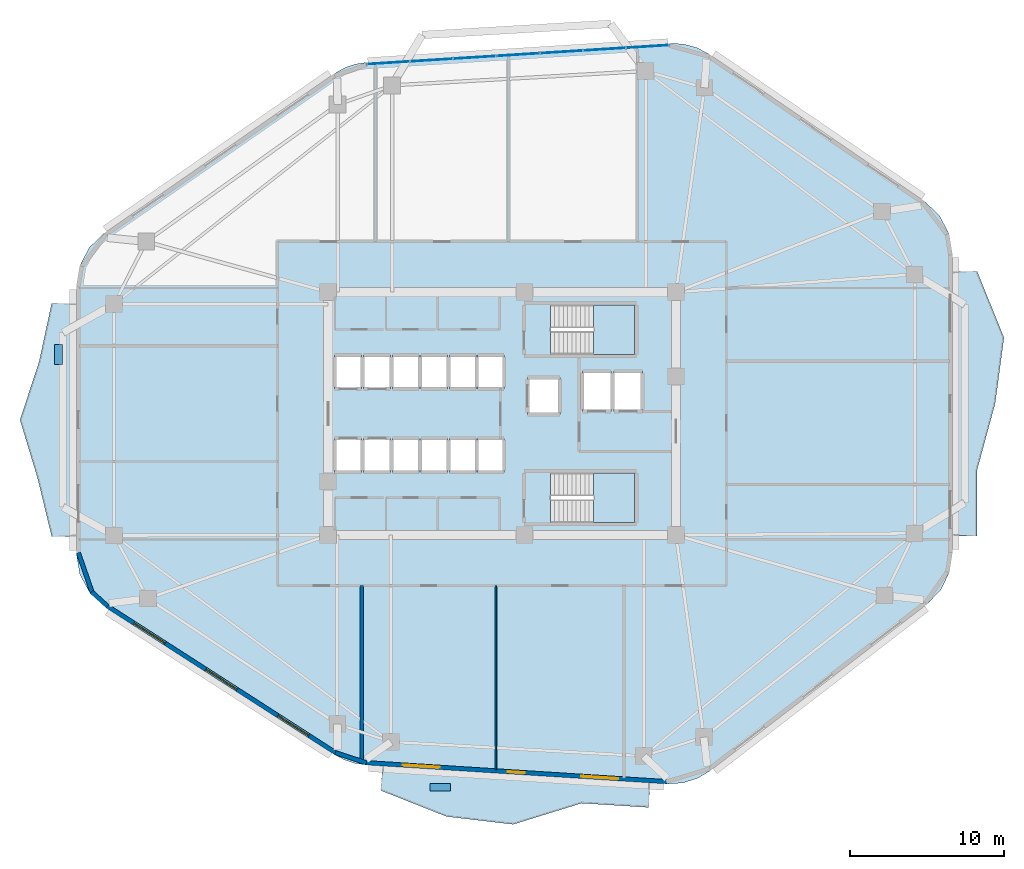
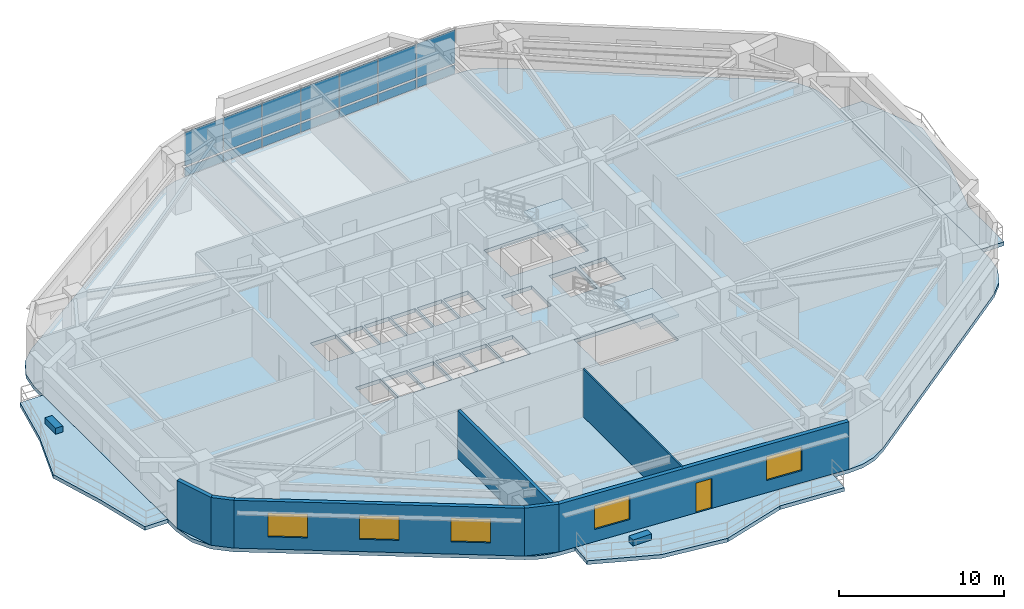
# One storey, part 6 of 13: 16 plates, 7 walls, 6 slabs, 5 windows, 1 door, 6 openings, 3 elements without a shape of their own.
"""IFC4 building model written with IfcOpenShell, lengths in metres."""

import ifcopenshell
import ifcopenshell.guid

model = None  # the IFC model being written
_history = None  # IfcOwnerHistory: only IFC2X3 demands one
_inside = {}  # id of a spatial element -> (the spatial element, [elements in it])
_under = {}  # id of a project, library or spatial element -> (it, [spatial elements below it])
_declared = {}  # id of a project -> (the project, [libraries it declares])
_typed = {}  # id of a type object -> (the type object, [elements of that type])
_made_of = {}  # id of a material, layer set ... -> (it, [elements and type objects made of it])


def new_model(schema):
    """Start an empty IFC model of exactly this schema.

    Asked for "IFC4X3", IfcOpenShell would pick the latest addendum, in which some entities
    have other attributes; the version numbers below select the first issue.
    IFC2X3 requires an IfcOwnerHistory on every rooted entity: one is made here for all.
    """
    global model, _history
    if schema == "IFC4X3":
        model = ifcopenshell.file(schema_version=(4, 3, 0, 0))
    else:
        model = ifcopenshell.file(schema=schema)
    _inside.clear()
    _under.clear()
    _declared.clear()
    _typed.clear()
    _made_of.clear()
    _history = None
    if model.schema == "IFC2X3":
        org = make("IfcOrganization", Name="unknown")
        user = make(
            "IfcPersonAndOrganization",
            ThePerson=make("IfcPerson", FamilyName="unknown"),
            TheOrganization=org,
        )
        app = make(
            "IfcApplication",
            ApplicationDeveloper=org,
            Version="unknown",
            ApplicationFullName="unknown",
            ApplicationIdentifier="unknown",
        )
        _history = make(
            "IfcOwnerHistory",
            OwningUser=user,
            OwningApplication=app,
            ChangeAction="ADDED",
            CreationDate=0,
        )
    return model


def make(cls, **values):
    """One entity of the class cls with the attributes given. An attribute that is None is left unset."""
    return model.create_entity(
        cls, **{name: value for name, value in values.items() if value is not None}
    )


def rooted(cls, **values):
    """An entity with a GlobalId (a new one), such as an element, a storey or a relation."""
    return make(cls, GlobalId=ifcopenshell.guid.new(), OwnerHistory=_history, **values)


def si_unit(unit_type, name, prefix=None):
    """IfcSIUnit, for example si_unit("LENGTHUNIT", "METRE", prefix="MILLI")."""
    return make("IfcSIUnit", UnitType=unit_type, Prefix=prefix, Name=name)


def assignment(units):
    """IfcUnitAssignment: the units of a project."""
    return None if units is None else make("IfcUnitAssignment", Units=units)


def point(xyz):
    """IfcCartesianPoint."""
    return None if xyz is None else make("IfcCartesianPoint", Coordinates=xyz)


def direction(xyz):
    """IfcDirection."""
    return None if xyz is None else make("IfcDirection", DirectionRatios=xyz)


def frame(location, z_axis=None, x_axis=None):
    """IfcAxis2Placement3D, a coordinate frame: its origin and axes. An axis left out is left unset."""
    return make(
        "IfcAxis2Placement3D",
        Location=point(location),
        Axis=direction(z_axis),
        RefDirection=direction(x_axis),
    )


def frame_2d(location, x_axis=None):
    """IfcAxis2Placement2D, a coordinate frame in the plane: its origin and x axis."""
    return make(
        "IfcAxis2Placement2D", Location=point(location), RefDirection=direction(x_axis)
    )


def origin():
    """The frame at (0, 0, 0) with its axes left unset."""
    return frame((0.0, 0.0, 0.0))


def origin_2d():
    """The frame at (0, 0) in the plane with its x axis left unset."""
    return frame_2d((0.0, 0.0))


def place(relative_to, where):
    """IfcLocalPlacement: puts the frame where relative to a parent placement (None: the world)."""
    return make(
        "IfcLocalPlacement", PlacementRelTo=relative_to, RelativePlacement=where
    )


def context(
    kind, dimensions, precision=None, world=None, true_north=None, identifier=None
):
    """IfcGeometricRepresentationContext, for example the 3D "Model" context."""
    return make(
        "IfcGeometricRepresentationContext",
        ContextIdentifier=identifier,
        ContextType=kind,
        CoordinateSpaceDimension=dimensions,
        Precision=precision,
        WorldCoordinateSystem=world,
        TrueNorth=true_north,
    )


def subcontext(parent, identifier, kind, view, scale=None):
    """IfcGeometricRepresentationSubContext, for example "Body" below "Model"."""
    return make(
        "IfcGeometricRepresentationSubContext",
        ContextIdentifier=identifier,
        ContextType=kind,
        ParentContext=parent,
        TargetScale=scale,
        TargetView=view,
    )


def project(units=None, contexts=None):
    """IfcProject with its units and contexts."""
    return rooted(
        "IfcProject",
        Name="project",
        RepresentationContexts=contexts,
        UnitsInContext=assignment(units),
    )


def spatial(cls, under=None, at=None, **own):
    """A site, building, storey or space (cls), placed at a placement, below another one or the project."""
    s = rooted(cls, ObjectPlacement=at, **own)
    if under is not None:
        _under.setdefault(under.id(), (under, []))[1].append(s)
    return s


def polyline(points):
    """IfcPolyline through the points."""
    return make("IfcPolyline", Points=[point(p) for p in points])


def profile(cls, at=None, kind="AREA", **sizes):
    """A parametric profile (cls). Its sizes go by their IFC names, for example OverallWidth=200.0."""
    return make(cls, ProfileType=kind, Position=at, **sizes)


def rectangle(**sizes):
    """IfcRectangleProfileDef."""
    return profile("IfcRectangleProfileDef", **sizes)


def outline(outer, holes=None, kind="AREA"):
    """IfcArbitraryClosedProfileDef: a profile drawn as a closed curve; with holes, ...WithVoids."""
    if holes is None:
        return make("IfcArbitraryClosedProfileDef", ProfileType=kind, OuterCurve=outer)
    return make(
        "IfcArbitraryProfileDefWithVoids",
        ProfileType=kind,
        OuterCurve=outer,
        InnerCurves=holes,
    )


def extrude(swept, where, along, depth):
    """IfcExtrudedAreaSolid: the profile swept, set in the frame where, extruded along a direction by depth."""
    return make(
        "IfcExtrudedAreaSolid",
        SweptArea=swept,
        Position=where,
        ExtrudedDirection=direction(along),
        Depth=depth,
    )


def shape(context_of_items, identifier, shape_type, items):
    """IfcShapeRepresentation: the items that make up one representation, for example the "Body"."""
    return make(
        "IfcShapeRepresentation",
        ContextOfItems=context_of_items,
        RepresentationIdentifier=identifier,
        RepresentationType=shape_type,
        Items=items,
    )


def material(Name=None, Category=None):
    """IfcMaterial."""
    return make("IfcMaterial", Name=Name, Category=Category)


def layer(
    of_material, thickness, ventilated=None, Name=None, Category=None, Priority=None
):
    """IfcMaterialLayer: one layer of a wall or slab, of a material (None: an air gap)."""
    return make(
        "IfcMaterialLayer",
        Material=of_material,
        LayerThickness=thickness,
        IsVentilated=ventilated,
        Name=Name,
        Category=Category,
        Priority=Priority,
    )


def layer_set(layers, Name=None):
    """IfcMaterialLayerSet."""
    return make("IfcMaterialLayerSet", MaterialLayers=layers, LayerSetName=Name)


def made_of(thing, what):
    """Note that an element or type object is made of a material, layer set ...; save() writes the relation."""
    if what is not None:
        _made_of.setdefault(what.id(), (what, []))[1].append(thing)
    return thing


def type_object(cls, material=None, **own):
    """A type object (cls), such as IfcWallType, which elements share."""
    return made_of(rooted(cls, **own), material)


def element(
    cls,
    number,
    at=None,
    inside=None,
    cuts=None,
    type_object=None,
    material=None,
    context=None,
    identifier="Body",
    shape_type=None,
    held_by="IfcProductDefinitionShape",
    body=None,
    shapes=None,
    **own,
):
    """One element of the class cls, such as IfcWall. Its Tag is "e" and its number.

    at: its placement. inside: the storey or other place that contains it. cuts: it is an
    opening in that element (IfcRelVoidsElement). A single representation is given by context,
    identifier, shape_type and body (its items); several are given by shapes. held_by: the class
    of the entity that holds the representations. save() writes the other relations.
    """
    e = rooted(cls, Tag="e%d" % number, ObjectPlacement=at, **own)
    if body is not None:
        shapes = [shape(context, identifier, shape_type, body)]
    if shapes is not None:
        e.Representation = make(held_by, Representations=shapes)
    if inside is not None:
        _inside.setdefault(inside.id(), (inside, []))[1].append(e)
    if cuts is not None:
        rooted(
            "IfcRelVoidsElement", RelatingBuildingElement=cuts, RelatedOpeningElement=e
        )
    if type_object is not None:
        _typed.setdefault(type_object.id(), (type_object, []))[1].append(e)
    return made_of(e, material)


def fill(opening, filler):
    """IfcRelFillsElement: the door or window that sits in an opening."""
    return rooted(
        "IfcRelFillsElement",
        RelatingOpeningElement=opening,
        RelatedBuildingElement=filler,
    )


def aggregate(whole, parts):
    """IfcRelAggregates: a whole, such as a stair, and the parts it consists of."""
    return rooted("IfcRelAggregates", RelatingObject=whole, RelatedObjects=parts)


def save(model, path):
    """Write the relations noted so far, then the file.

    IfcRelAggregates (storeys below a building ...), IfcRelContainedInSpatialStructure (elements
    in a storey), IfcRelDefinesByType, IfcRelAssociatesMaterial and IfcRelDeclares: one each for
    every whole, place, type object, material and project.
    """
    for whole, parts in _under.values():
        aggregate(whole, parts)
    for where, things in _inside.values():
        rooted(
            "IfcRelContainedInSpatialStructure",
            RelatedElements=things,
            RelatingStructure=where,
        )
    for kind, things in _typed.values():
        rooted("IfcRelDefinesByType", RelatedObjects=things, RelatingType=kind)
    for what, things in _made_of.values():
        rooted("IfcRelAssociatesMaterial", RelatedObjects=things, RelatingMaterial=what)
    for by, libraries in _declared.values():
        rooted("IfcRelDeclares", RelatingContext=by, RelatedDefinitions=libraries)
    model.write(path)


model = new_model("IFC4")

# Units and contexts
model_context = context("Model", 3, precision=1e-05, world=origin(), true_north=direction((0.0, 1.0)))
body_context = subcontext(model_context, "Body", "Model", "MODEL_VIEW")
ifc_project = project(units=[si_unit("LENGTHUNIT", "METRE"), si_unit("AREAUNIT", "SQUARE_METRE"), si_unit("VOLUMEUNIT", "CUBIC_METRE"), si_unit("PLANEANGLEUNIT", "RADIAN"), si_unit("MASSUNIT", "GRAM", prefix="KILO")], contexts=[model_context])

# Site, building, storey
site_placement = place(None, origin())
site = spatial("IfcSite", under=ifc_project, at=site_placement, CompositionType="ELEMENT")
building_placement = place(site_placement, origin())
building = spatial("IfcBuilding", under=site, at=building_placement, Name="Zulverin Broadcast Headquarters", CompositionType="ELEMENT")
storey_placement = place(building_placement, frame((0.0, 0.0, 101.0)))
storey = spatial("IfcBuildingStorey", under=building, at=storey_placement, Name="L25", CompositionType="ELEMENT", Elevation=101.0)

# Curtain wall, plates
ifc_material_1 = material(Name="Low-zone ribbon unitised curtain wall", Category="aluminium")
curtain_wall_type = type_object("IfcCurtainWallType", Name="CW-TWR-LOW", PredefinedType="USERDEFINED", material=ifc_material_1)
curtain_wall_placement = place(storey_placement, origin())
curtain_wall = element("IfcCurtainWall", 1, at=curtain_wall_placement, inside=storey, type_object=curtain_wall_type, Name="L25 Unitised Curtain Wall CW-L25-E5", ObjectType="UNITISED CURTAIN WALL", PredefinedType="USERDEFINED")
ifc_material_2 = material(Name="Low-E double-glazed pale-silver vision glass", Category="glass")
ifc_layer_1 = layer(ifc_material_2, 0.035888671875, Name="Low-E double-glazed pale-silver vision glass", Category="glass")
ifc_layer_set_1 = layer_set([ifc_layer_1], Name="Low-E double-glazed pale-silver vision glass")
plate_type_1 = type_object("IfcPlateType", Name="CW-PNL-GLZ", PredefinedType="CURTAIN_PANEL", material=ifc_layer_set_1)
plate_1_placement = place(storey_placement, frame((46.43115234375, 49.001220703125, 0.910888671875), z_axis=(0.0, 0.0, 1.0), x_axis=(-0.998017621976, -0.062935095345, 0.0)))
plate_1 = element("IfcPlate", 2, at=plate_1_placement, type_object=plate_type_1, Name="CW-L25-E5 Vision Panel 00", PredefinedType="CURTAIN_PANEL", context=body_context, shape_type="SweptSolid", body=[
    extrude(rectangle(XDim=2.76416015625, YDim=0.035888671875, at=origin_2d()), origin(), (0.0, 0.0, 1.0), 2.47412109375),
])
plate_2_placement = place(storey_placement, frame((43.632568359375, 48.82470703125, 0.910888671875), z_axis=(0.0, 0.0, 1.0), x_axis=(-0.998017621976, -0.062935095345, 0.0)))
plate_2 = element("IfcPlate", 3, at=plate_2_placement, type_object=plate_type_1, Name="CW-L25-E5 Vision Panel 01", PredefinedType="CURTAIN_PANEL", context=body_context, shape_type="SweptSolid", body=[
    extrude(rectangle(XDim=2.76416015625, YDim=0.035888671875, at=origin_2d()), origin(), (0.0, 0.0, 1.0), 2.47412109375),
])
plate_3_placement = place(storey_placement, frame((40.833984375, 48.648193359375, 0.910888671875), z_axis=(0.0, 0.0, 1.0), x_axis=(-0.998017621976, -0.062935095345, 0.0)))
plate_3 = element("IfcPlate", 4, at=plate_3_placement, type_object=plate_type_1, Name="CW-L25-E5 Vision Panel 02", PredefinedType="CURTAIN_PANEL", context=body_context, shape_type="SweptSolid", body=[
    extrude(rectangle(XDim=2.76416015625, YDim=0.035888671875, at=origin_2d()), origin(), (0.0, 0.0, 1.0), 2.47412109375),
])
plate_4_placement = place(storey_placement, frame((38.035400390625, 48.4716796875, 0.910888671875), z_axis=(0.0, 0.0, 1.0), x_axis=(-0.998017621976, -0.062935095345, 0.0)))
plate_4 = element("IfcPlate", 5, at=plate_4_placement, type_object=plate_type_1, Name="CW-L25-E5 Vision Panel 03", PredefinedType="CURTAIN_PANEL", context=body_context, shape_type="SweptSolid", body=[
    extrude(rectangle(XDim=2.76416015625, YDim=0.035888671875, at=origin_2d()), origin(), (0.0, 0.0, 1.0), 2.47412109375),
])
plate_5_placement = place(storey_placement, frame((35.236572265625, 48.295166015625, 0.910888671875), z_axis=(0.0, 0.0, 1.0), x_axis=(-0.998017621976, -0.062935095345, 0.0)))
plate_5 = element("IfcPlate", 6, at=plate_5_placement, type_object=plate_type_1, Name="CW-L25-E5 Vision Panel 04", PredefinedType="CURTAIN_PANEL", context=body_context, shape_type="SweptSolid", body=[
    extrude(rectangle(XDim=2.76416015625, YDim=0.035888671875, at=origin_2d()), origin(), (0.0, 0.0, 1.0), 2.47412109375),
])
plate_6_placement = place(storey_placement, frame((32.43798828125, 48.11865234375, 0.910888671875), z_axis=(0.0, 0.0, 1.0), x_axis=(-0.998017621976, -0.062935095345, 0.0)))
plate_6 = element("IfcPlate", 7, at=plate_6_placement, type_object=plate_type_1, Name="CW-L25-E5 Vision Panel 05", PredefinedType="CURTAIN_PANEL", context=body_context, shape_type="SweptSolid", body=[
    extrude(rectangle(XDim=2.76416015625, YDim=0.035888671875, at=origin_2d()), origin(), (0.0, 0.0, 1.0), 2.47412109375),
])
plate_7_placement = place(storey_placement, frame((29.639404296875, 47.942138671875, 0.910888671875), z_axis=(0.0, 0.0, 1.0), x_axis=(-0.998017621976, -0.062935095345, 0.0)))
plate_7 = element("IfcPlate", 8, at=plate_7_placement, type_object=plate_type_1, Name="CW-L25-E5 Vision Panel 06", PredefinedType="CURTAIN_PANEL", context=body_context, shape_type="SweptSolid", body=[
    extrude(rectangle(XDim=2.76416015625, YDim=0.035888671875, at=origin_2d()), origin(), (0.0, 0.0, 1.0), 2.47412109375),
])
ifc_material_3 = material(Name="Insulated brushed pale-aluminium spandrel cassette", Category="aluminium")
ifc_layer_2 = layer(ifc_material_3, 0.050048828125, Name="Insulated brushed pale-aluminium spandrel cassette", Category="aluminium")
ifc_layer_set_2 = layer_set([ifc_layer_2], Name="Insulated brushed pale-aluminium spandrel cassette")
plate_type_2 = type_object("IfcPlateType", Name="CW-PNL-SPN", PredefinedType="CURTAIN_PANEL", material=ifc_layer_set_2)
plate_8_placement = place(storey_placement, frame((46.43115234375, 49.001220703125, 0.139892578125), z_axis=(0.0, 0.0, 1.0), x_axis=(-0.998017621976, -0.062935095345, 0.0)))
plate_8 = element("IfcPlate", 9, at=plate_8_placement, type_object=plate_type_2, Name="CW-L25-E5 Spandrel Cassette 00", PredefinedType="CURTAIN_PANEL", context=body_context, shape_type="SweptSolid", body=[
    extrude(rectangle(XDim=2.76416015625, YDim=0.050048828125, at=origin_2d()), origin(), (0.0, 0.0, 1.0), 0.64111328125),
])
plate_9_placement = place(storey_placement, frame((43.632568359375, 48.82470703125, 0.139892578125), z_axis=(0.0, 0.0, 1.0), x_axis=(-0.998017621976, -0.062935095345, 0.0)))
plate_9 = element("IfcPlate", 10, at=plate_9_placement, type_object=plate_type_2, Name="CW-L25-E5 Spandrel Cassette 01", PredefinedType="CURTAIN_PANEL", context=body_context, shape_type="SweptSolid", body=[
    extrude(rectangle(XDim=2.76416015625, YDim=0.050048828125, at=origin_2d()), origin(), (0.0, 0.0, 1.0), 0.64111328125),
])
plate_10_placement = place(storey_placement, frame((40.833984375, 48.648193359375, 0.139892578125), z_axis=(0.0, 0.0, 1.0), x_axis=(-0.998017621976, -0.062935095345, 0.0)))
plate_10 = element("IfcPlate", 11, at=plate_10_placement, type_object=plate_type_2, Name="CW-L25-E5 Spandrel Cassette 02", PredefinedType="CURTAIN_PANEL", context=body_context, shape_type="SweptSolid", body=[
    extrude(rectangle(XDim=2.76416015625, YDim=0.050048828125, at=origin_2d()), origin(), (0.0, 0.0, 1.0), 0.64111328125),
])
plate_11_placement = place(storey_placement, frame((38.035400390625, 48.4716796875, 0.139892578125), z_axis=(0.0, 0.0, 1.0), x_axis=(-0.998017621976, -0.062935095345, 0.0)))
plate_11 = element("IfcPlate", 12, at=plate_11_placement, type_object=plate_type_2, Name="CW-L25-E5 Spandrel Cassette 03", PredefinedType="CURTAIN_PANEL", context=body_context, shape_type="SweptSolid", body=[
    extrude(rectangle(XDim=2.76416015625, YDim=0.050048828125, at=origin_2d()), origin(), (0.0, 0.0, 1.0), 0.64111328125),
])
plate_12_placement = place(storey_placement, frame((35.236572265625, 48.295166015625, 0.139892578125), z_axis=(0.0, 0.0, 1.0), x_axis=(-0.998017621976, -0.062935095345, 0.0)))
plate_12 = element("IfcPlate", 13, at=plate_12_placement, type_object=plate_type_2, Name="CW-L25-E5 Spandrel Cassette 04", PredefinedType="CURTAIN_PANEL", context=body_context, shape_type="SweptSolid", body=[
    extrude(rectangle(XDim=2.76416015625, YDim=0.050048828125, at=origin_2d()), origin(), (0.0, 0.0, 1.0), 0.64111328125),
])
plate_13_placement = place(storey_placement, frame((32.43798828125, 48.11865234375, 0.139892578125), z_axis=(0.0, 0.0, 1.0), x_axis=(-0.998017621976, -0.062935095345, 0.0)))
plate_13 = element("IfcPlate", 14, at=plate_13_placement, type_object=plate_type_2, Name="CW-L25-E5 Spandrel Cassette 05", PredefinedType="CURTAIN_PANEL", context=body_context, shape_type="SweptSolid", body=[
    extrude(rectangle(XDim=2.76416015625, YDim=0.050048828125, at=origin_2d()), origin(), (0.0, 0.0, 1.0), 0.64111328125),
])
plate_14_placement = place(storey_placement, frame((29.639404296875, 47.942138671875, 0.139892578125), z_axis=(0.0, 0.0, 1.0), x_axis=(-0.998017621976, -0.062935095345, 0.0)))
plate_14 = element("IfcPlate", 15, at=plate_14_placement, type_object=plate_type_2, Name="CW-L25-E5 Spandrel Cassette 06", PredefinedType="CURTAIN_PANEL", context=body_context, shape_type="SweptSolid", body=[
    extrude(rectangle(XDim=2.76416015625, YDim=0.050048828125, at=origin_2d()), origin(), (0.0, 0.0, 1.0), 0.64111328125),
])
aggregate(curtain_wall, [plate_8, plate_1, plate_9, plate_2, plate_10, plate_3, plate_11, plate_4, plate_12, plate_5, plate_13, plate_6, plate_14, plate_7])

# Plates
ifc_material_4 = material(Name="Precast concrete C45/55", Category="concrete")
ifc_layer_3 = layer(ifc_material_4, 0.449951171875, Name="Precast concrete C45/55", Category="concrete")
ifc_layer_set_3 = layer_set([ifc_layer_3], Name="Precast concrete C45/55")
plate_type_3 = type_object("IfcPlateType", Name="PT-01_PRECAST_GFRC_TREE_PLANTER", PredefinedType="USERDEFINED", material=ifc_layer_set_3)
for number, where, z_axis, x_axis, name in (
    (16, (32.993408203125, 0.973876953125, -0.0048828125), (0.0, 0.0, 1.0), (1.0, 0.0, 0.0), "L25 Precast GFRC Tree Planter BAL_S"),
    (17, (8.25, 29.022216796875, -0.0048828125), (0.0, 0.0, 1.0), (0.0, 1.0, 0.0), "L25 Precast GFRC Tree Planter BAL_W"),
):
    element("IfcPlate", number, at=place(storey_placement, frame(where, z_axis=z_axis, x_axis=x_axis)), inside=storey, type_object=plate_type_3, Name=name, ObjectType="PLANTER", PredefinedType="USERDEFINED", context=body_context, shape_type="SweptSolid", body=[
        extrude(rectangle(XDim=1.300048828125, YDim=0.5, at=origin_2d()), origin(), (0.0, 0.0, 1.0), 0.449951171875),
    ])

# Slabs
ifc_material_5 = material(Name="Concrete C40/50", Category="concrete")
ifc_layer_4 = layer(ifc_material_5, 0.27490234375, Name="Concrete C40/50", Category="concrete")
ifc_layer_set_4 = layer_set([ifc_layer_4], Name="Concrete C40/50")
slab_type_1 = type_object("IfcSlabType", Name="SLB-BAL-275", PredefinedType="FLOOR", material=ifc_layer_set_4)
slab_1_placement = place(storey_placement, frame((0.0, 0.0, -0.27490234375)))
element("IfcSlab", 18, at=slab_1_placement, inside=storey, type_object=slab_type_1, Name="L25 Cantilevered Planted Balcony Slab BAL_E", PredefinedType="FLOOR", context=body_context, shape_type="SweptSolid", body=[
    extrude(outline(polyline([(66.199951171875, 34.41455078125), (66.199951171875, 17.283447265625), (67.800048828125, 17.283447265625), (67.800048828125, 21.566162109375), (68.96435546875, 25.848876953125), (69.540283203125, 30.131591796875), (67.800048828125, 34.41455078125), (66.199951171875, 34.41455078125)])), origin(), (0.0, 0.0, 1.0), 0.27490234375),
])
slab_2_placement = place(storey_placement, frame((0.0, 0.0, -0.27490234375)))
element("IfcSlab", 19, at=slab_2_placement, inside=storey, type_object=slab_type_1, Name="L25 Cantilevered Planted Balcony Slab BAL_S", PredefinedType="FLOOR", context=body_context, shape_type="SweptSolid", body=[
    extrude(outline(polyline([(46.5927734375, 1.268310546875), (29.250244140625, 2.3623046875), (29.149658203125, 0.765380859375), (33.396484375, -0.9169921875), (37.717041015625, -1.42822265625), (42.156494140625, -0.054931640625), (46.4921875, -0.328369140625), (46.5927734375, 1.268310546875)])), origin(), (0.0, 0.0, 1.0), 0.27490234375),
])
slab_3_placement = place(storey_placement, frame((0.0, 0.0, -0.27490234375)))
element("IfcSlab", 20, at=slab_3_placement, inside=storey, type_object=slab_type_1, Name="L25 Cantilevered Planted Balcony Slab BAL_W", PredefinedType="FLOOR", context=body_context, shape_type="SweptSolid", body=[
    extrude(outline(polyline([(9.39990234375, 17.24365234375), (9.39990234375, 32.344482421875), (7.800048828125, 32.344482421875), (6.988037109375, 28.569091796875), (5.75, 24.7939453125), (6.89111328125, 21.018798828125), (7.800048828125, 17.24365234375), (9.39990234375, 17.24365234375)])), origin(), (0.0, 0.0, 1.0), 0.27490234375),
])

# Stair, slab
stair_type = type_object("IfcStairType", Name="ST-CORE-1500", PredefinedType="HALF_TURN_STAIR", material=ifc_material_5)
stair_1_placement = place(storey_placement, origin())
stair_1 = element("IfcStair", 21, at=stair_1_placement, inside=storey, type_object=stair_type, Name="L25 Core Exit Stair ST-1", PredefinedType="HALF_TURN_STAIR")
ifc_layer_5 = layer(ifc_material_5, 0.199951171875, Name="Concrete C40/50", Category="concrete")
ifc_layer_set_5 = layer_set([ifc_layer_5], Name="Concrete C40/50")
slab_type_2 = type_object("IfcSlabType", Name="SLB-ST-LND200", PredefinedType="LANDING", material=ifc_layer_set_5)
slab_4_placement = place(storey_placement, frame((0.0, 0.0, 1.699951171875)))
slab_4 = element("IfcSlab", 22, at=slab_4_placement, type_object=slab_type_2, Name="ST-1 landing 1", PredefinedType="LANDING", context=body_context, shape_type="SweptSolid", body=[
    extrude(outline(polyline([(42.929931640625, 29.050048828125), (45.60009765625, 29.050048828125), (45.60009765625, 32.25), (42.929931640625, 32.25), (42.929931640625, 29.050048828125)])), origin(), (0.0, 0.0, 1.0), 0.199951171875),
])
aggregate(stair_1, [slab_4])

stair_2_placement = place(storey_placement, origin())
stair_2 = element("IfcStair", 23, at=stair_2_placement, inside=storey, type_object=stair_type, Name="L25 Core Exit Stair ST-2", PredefinedType="HALF_TURN_STAIR")
slab_5_placement = place(storey_placement, frame((0.0, 0.0, 1.699951171875)))
slab_5 = element("IfcSlab", 24, at=slab_5_placement, type_object=slab_type_2, Name="ST-2 landing 1", PredefinedType="LANDING", context=body_context, shape_type="SweptSolid", body=[
    extrude(outline(polyline([(42.929931640625, 18.14990234375), (45.60009765625, 18.14990234375), (45.60009765625, 21.35009765625), (42.929931640625, 21.35009765625), (42.929931640625, 18.14990234375)])), origin(), (0.0, 0.0, 1.0), 0.199951171875),
])
aggregate(stair_2, [slab_5])

# Slab
ifc_layer_6 = layer(ifc_material_5, 0.27490234375, Name="Concrete C40/50", Category="concrete")
ifc_layer_set_6 = layer_set([ifc_layer_6], Name="Concrete C40/50")
slab_type_3 = type_object("IfcSlabType", Name="SLB-TWR-275", PredefinedType="FLOOR", material=ifc_layer_set_6)
slab_6_placement = place(storey_placement, frame((0.0, 0.0, -0.27490234375)))
element("IfcSlab", 25, at=slab_6_placement, inside=storey, type_object=slab_type_3, Name="L25 Main Structural Floor Slab", PredefinedType="FLOOR", context=body_context, shape_type="SweptSolid", body=[
    extrude(outline(polyline([(26.146484375, 3.089599609375), (26.774658203125, 2.75732421875), (27.44970703125, 2.535888671875), (28.152587890625, 2.431396484375), (47.690673828125, 1.19921875), (48.69189453125, 1.256103515625), (49.6513671875, 1.548828125), (50.51416015625, 2.060546875), (64.55908203125, 12.85302734375), (65.44140625, 13.77587890625), (66.005859375, 14.92138671875), (66.199951171875, 16.183349609375), (66.199951171875, 35.514404296875), (65.981689453125, 36.85107421875), (65.349365234375, 38.048583984375), (64.368896484375, 38.982666015625), (50.456298828125, 48.485595703125), (49.639404296875, 48.920166015625), (48.747314453125, 49.165283203125), (47.822998046875, 49.208984375), (28.232421875, 47.9736328125), (27.481201171875, 47.857421875), (26.76318359375, 47.607666015625), (26.102294921875, 47.232666015625), (11.20556640625, 36.89501953125), (10.238037109375, 35.9619140625), (9.614990234375, 34.77099609375), (9.39990234375, 33.4443359375), (9.39990234375, 16.1435546875), (9.631103515625, 14.769775390625), (10.298583984375, 13.547119140625), (11.32958984375, 12.610107421875), (26.146484375, 3.089599609375)]), holes=[polyline([(40.155029296875, 30.75), (40.130126953125, 30.75), (40.130126953125, 32.25), (45.60009765625, 32.25), (45.60009765625, 29.050048828125), (40.155029296875, 29.050048828125), (40.155029296875, 30.75)]), polyline([(40.155029296875, 19.85009765625), (40.130126953125, 19.85009765625), (40.130126953125, 21.35009765625), (45.60009765625, 21.35009765625), (45.60009765625, 18.14990234375), (40.155029296875, 18.14990234375), (40.155029296875, 19.85009765625)]), polyline([(26.14990234375, 26.800048828125), (27.89990234375, 26.800048828125), (27.89990234375, 29.0), (26.14990234375, 29.0), (26.14990234375, 26.800048828125)]), polyline([(28.02001953125, 26.800048828125), (29.77001953125, 26.800048828125), (29.77001953125, 29.0), (28.02001953125, 29.0), (28.02001953125, 26.800048828125)]), polyline([(26.14990234375, 21.39990234375), (27.89990234375, 21.39990234375), (27.89990234375, 23.60009765625), (26.14990234375, 23.60009765625), (26.14990234375, 21.39990234375)]), polyline([(28.02001953125, 21.39990234375), (29.77001953125, 21.39990234375), (29.77001953125, 23.60009765625), (28.02001953125, 23.60009765625), (28.02001953125, 21.39990234375)]), polyline([(29.89990234375, 21.39990234375), (31.6201171875, 21.39990234375), (31.6201171875, 23.60009765625), (29.89990234375, 23.60009765625), (29.89990234375, 21.39990234375)]), polyline([(31.739990234375, 21.39990234375), (33.4599609375, 21.39990234375), (33.4599609375, 23.60009765625), (31.739990234375, 23.60009765625), (31.739990234375, 21.39990234375)]), polyline([(33.580078125, 21.39990234375), (35.300048828125, 21.39990234375), (35.300048828125, 23.60009765625), (33.580078125, 23.60009765625), (33.580078125, 21.39990234375)]), polyline([(35.419921875, 21.39990234375), (37.139892578125, 21.39990234375), (37.139892578125, 23.60009765625), (35.419921875, 23.60009765625), (35.419921875, 21.39990234375)]), polyline([(29.89990234375, 26.800048828125), (31.6201171875, 26.800048828125), (31.6201171875, 29.0), (29.89990234375, 29.0), (29.89990234375, 26.800048828125)]), polyline([(31.739990234375, 26.800048828125), (33.4599609375, 26.800048828125), (33.4599609375, 29.0), (31.739990234375, 29.0), (31.739990234375, 26.800048828125)]), polyline([(33.580078125, 26.800048828125), (35.300048828125, 26.800048828125), (35.300048828125, 29.0), (33.580078125, 29.0), (33.580078125, 26.800048828125)]), polyline([(35.419921875, 26.800048828125), (37.139892578125, 26.800048828125), (37.139892578125, 29.0), (35.419921875, 29.0), (35.419921875, 26.800048828125)]), polyline([(42.199951171875, 25.35009765625), (44.050048828125, 25.35009765625), (44.050048828125, 27.949951171875), (42.199951171875, 27.949951171875), (42.199951171875, 25.35009765625)]), polyline([(44.25, 25.35009765625), (46.10009765625, 25.35009765625), (46.10009765625, 27.949951171875), (44.25, 27.949951171875), (44.25, 25.35009765625)]), polyline([(38.64990234375, 25.14990234375), (40.75, 25.14990234375), (40.75, 27.550048828125), (38.64990234375, 27.550048828125), (38.64990234375, 25.14990234375)])]), origin(), (0.0, 0.0, 1.0), 0.27490234375),
])

# Wall
ifc_material_6 = material(Name="Double-stud acoustic drywall", Category="gypsum")
ifc_layer_7 = layer(ifc_material_6, 0.219970703125, Name="Double-stud acoustic drywall", Category="gypsum")
ifc_layer_set_7 = layer_set([ifc_layer_7], Name="Double-stud acoustic drywall")
wall_type_1 = type_object("IfcWallType", Name="WL-ACOU-220", PredefinedType="PARTITIONING", material=ifc_layer_set_7)
wall_1_placement = place(storey_placement, frame((27.89990234375, 2.673828125, 0.0), z_axis=(0.0, 0.0, 1.0), x_axis=(0.0, 1.0, 0.0)))
element("IfcWall", 26, at=wall_1_placement, inside=storey, type_object=wall_type_1, Name="L25 Room Partition Wall RP-07", PredefinedType="PARTITIONING", context=body_context, shape_type="SweptSolid", body=[
    extrude(rectangle(XDim=11.376220703125, YDim=0.219970703125, at=frame_2d((5.68798828125, 0.0))), origin(), (0.0, 0.0, 1.0), 3.52490234375),
])

# Wall, openings, door, windows
ifc_material_7 = material(Name="Insulated pale-metal clad concrete spandrel C40/50", Category="concrete")
ifc_layer_8 = layer(ifc_material_7, 0.280029296875, Name="Insulated pale-metal clad concrete spandrel C40/50", Category="concrete")
ifc_layer_set_8 = layer_set([ifc_layer_8], Name="Insulated pale-metal clad concrete spandrel C40/50")
wall_type_2 = type_object("IfcWallType", Name="WL-EXT-280", PredefinedType="STANDARD", material=ifc_layer_set_8)
wall_2_placement = place(storey_placement, frame((28.161376953125, 2.571044921875, 0.0), z_axis=(0.0, 0.0, 1.0), x_axis=(0.998017288298, -0.06294038654, 0.0)))
wall_2 = element("IfcWall", 27, at=wall_2_placement, inside=storey, type_object=wall_type_2, Name="L25 Pale-Metal Clad Spandrel Wall 1", PredefinedType="STANDARD", context=body_context, shape_type="SweptSolid", body=[
    extrude(rectangle(XDim=19.576904296875, YDim=0.280029296875, at=frame_2d((9.78857421875, 0.0))), origin(), (0.0, 0.0, 1.0), 3.52490234375),
])
opening_1_placement = place(wall_2_placement, frame((9.238525390625, 0.0, 0.0)))
opening_1 = element("IfcOpeningElement", 28, at=opening_1_placement, cuts=wall_2, Name="Opening D-L25-TR1", PredefinedType="OPENING", context=body_context, shape_type="SweptSolid", body=[
    extrude(rectangle(XDim=1.10009765625, YDim=2.199951171875, at=frame_2d((0.550048828125, 1.10009765625))), frame((0.0, 0.14990234375, 0.0), z_axis=(0.0, -1.0, 0.0), x_axis=(1.0, 0.0, 0.0)), (0.0, 0.0, 1.0), 0.300048828125),
])
opening_2_placement = place(wall_2_placement, frame((2.396240234375, 0.0, 0.89990234375)))
opening_2 = element("IfcOpeningElement", 29, at=opening_2_placement, cuts=wall_2, Name="Opening W-L25-E11", PredefinedType="OPENING", context=body_context, shape_type="SweptSolid", body=[
    extrude(rectangle(XDim=2.39990234375, YDim=1.75, at=frame_2d((1.199951171875, 0.875))), frame((0.0, 0.14990234375, 0.0), z_axis=(0.0, -1.0, 0.0), x_axis=(1.0, 0.0, 0.0)), (0.0, 0.0, 1.0), 0.300048828125),
])
opening_3_placement = place(wall_2_placement, frame((14.000732421875, 0.0, 0.89990234375)))
opening_3 = element("IfcOpeningElement", 30, at=opening_3_placement, cuts=wall_2, Name="Opening W-L25-E12", PredefinedType="OPENING", context=body_context, shape_type="SweptSolid", body=[
    extrude(rectangle(XDim=2.39990234375, YDim=1.75, at=frame_2d((1.199951171875, 0.875))), frame((0.0, 0.14990234375, 0.0), z_axis=(0.0, -1.0, 0.0), x_axis=(1.0, 0.0, 0.0)), (0.0, 0.0, 1.0), 0.300048828125),
])
ifc_material_8 = material(Name="Thermally broken aluminium glazed", Category="aluminium")
door_type = type_object("IfcDoorType", Name="DR-TERR-1100", OperationType="SINGLE_SWING_RIGHT", PredefinedType="DOOR", material=ifc_material_8)
door_placement = place(opening_1_placement, origin())
door = element("IfcDoor", 31, at=door_placement, inside=storey, type_object=door_type, Name="L25 Planted Terrace Glazed Access Door 1", OperationType="SINGLE_SWING_RIGHT", OverallHeight=2.199951171875, OverallWidth=1.10009765625, PredefinedType="DOOR", context=body_context, shape_type="SweptSolid", body=[
    extrude(rectangle(XDim=1.10009765625, YDim=2.199951171875, at=frame_2d((0.550048828125, 1.10009765625))), frame((0.0, 0.02490234375, 0.0), z_axis=(0.0, -1.0, 0.0), x_axis=(1.0, 0.0, 0.0)), (0.0, 0.0, 1.0), 0.050048828125),
])
fill(opening_1, door)
ifc_material_9 = material(Name="Pale anodized aluminium frame with solar-control low-E double glazing", Category="aluminium")
window_type = type_object("IfcWindowType", Name="WIN-RIB-2400", PartitioningType="SINGLE_PANEL", PredefinedType="WINDOW", material=ifc_material_9)
window_1_placement = place(opening_2_placement, origin())
window_1 = element("IfcWindow", 32, at=window_1_placement, inside=storey, type_object=window_type, Name="L25 Ribbon Glazing Window 1 1", OverallHeight=1.75, OverallWidth=2.39990234375, PartitioningType="SINGLE_PANEL", PredefinedType="WINDOW", context=body_context, shape_type="SweptSolid", body=[
    extrude(rectangle(XDim=2.39990234375, YDim=1.75, at=frame_2d((1.199951171875, 0.875))), frame((0.0, 0.030029296875, 0.0), z_axis=(0.0, -1.0, 0.0), x_axis=(1.0, 0.0, 0.0)), (0.0, 0.0, 1.0), 0.06005859375),
])
fill(opening_2, window_1)
window_2_placement = place(opening_3_placement, origin())
window_2 = element("IfcWindow", 33, at=window_2_placement, inside=storey, type_object=window_type, Name="L25 Ribbon Glazing Window 1 2", OverallHeight=1.75, OverallWidth=2.39990234375, PartitioningType="SINGLE_PANEL", PredefinedType="WINDOW", context=body_context, shape_type="SweptSolid", body=[
    extrude(rectangle(XDim=2.39990234375, YDim=1.75, at=frame_2d((1.199951171875, 0.875))), frame((0.0, 0.030029296875, 0.0), z_axis=(0.0, -1.0, 0.0), x_axis=(1.0, 0.0, 0.0)), (0.0, 0.0, 1.0), 0.06005859375),
])
fill(opening_3, window_2)

# Wall, openings, windows
wall_3_placement = place(storey_placement, frame((11.4052734375, 12.727783203125, 0.0), z_axis=(0.0, 0.0, 1.0), x_axis=(0.841304564637, -0.540561402175, 0.0)))
wall_3 = element("IfcWall", 34, at=wall_3_placement, inside=storey, type_object=wall_type_2, Name="L25 Pale-Metal Clad Spandrel Wall 8", PredefinedType="STANDARD", context=body_context, shape_type="SweptSolid", body=[
    extrude(rectangle(XDim=17.61181640625, YDim=0.280029296875, at=frame_2d((8.805908203125, 0.0))), origin(), (0.0, 0.0, 1.0), 3.52490234375),
])
opening_4_placement = place(wall_3_placement, frame((2.068603515625, 0.0, 0.89990234375)))
opening_4 = element("IfcOpeningElement", 35, at=opening_4_placement, cuts=wall_3, Name="Opening W-L25-E81", PredefinedType="OPENING", context=body_context, shape_type="SweptSolid", body=[
    extrude(rectangle(XDim=2.39990234375, YDim=1.75, at=frame_2d((1.199951171875, 0.875))), frame((0.0, 0.14990234375, 0.0), z_axis=(0.0, -1.0, 0.0), x_axis=(1.0, 0.0, 0.0)), (0.0, 0.0, 1.0), 0.300048828125),
])
opening_5_placement = place(wall_3_placement, frame((7.60595703125, 0.0, 0.89990234375)))
opening_5 = element("IfcOpeningElement", 36, at=opening_5_placement, cuts=wall_3, Name="Opening W-L25-E82", PredefinedType="OPENING", context=body_context, shape_type="SweptSolid", body=[
    extrude(rectangle(XDim=2.39990234375, YDim=1.75, at=frame_2d((1.199951171875, 0.875))), frame((0.0, 0.14990234375, 0.0), z_axis=(0.0, -1.0, 0.0), x_axis=(1.0, 0.0, 0.0)), (0.0, 0.0, 1.0), 0.300048828125),
])
opening_6_placement = place(wall_3_placement, frame((13.143310546875, 0.0, 0.89990234375)))
opening_6 = element("IfcOpeningElement", 37, at=opening_6_placement, cuts=wall_3, Name="Opening W-L25-E83", PredefinedType="OPENING", context=body_context, shape_type="SweptSolid", body=[
    extrude(rectangle(XDim=2.39990234375, YDim=1.75, at=frame_2d((1.199951171875, 0.875))), frame((0.0, 0.14990234375, 0.0), z_axis=(0.0, -1.0, 0.0), x_axis=(1.0, 0.0, 0.0)), (0.0, 0.0, 1.0), 0.300048828125),
])
window_3_placement = place(opening_4_placement, origin())
window_3 = element("IfcWindow", 38, at=window_3_placement, inside=storey, type_object=window_type, Name="L25 Ribbon Glazing Window 8 1", OverallHeight=1.75, OverallWidth=2.39990234375, PartitioningType="SINGLE_PANEL", PredefinedType="WINDOW", context=body_context, shape_type="SweptSolid", body=[
    extrude(rectangle(XDim=2.39990234375, YDim=1.75, at=frame_2d((1.199951171875, 0.875))), frame((0.0, 0.030029296875, 0.0), z_axis=(0.0, -1.0, 0.0), x_axis=(1.0, 0.0, 0.0)), (0.0, 0.0, 1.0), 0.06005859375),
])
fill(opening_4, window_3)
window_4_placement = place(opening_5_placement, origin())
window_4 = element("IfcWindow", 39, at=window_4_placement, inside=storey, type_object=window_type, Name="L25 Ribbon Glazing Window 8 2", OverallHeight=1.75, OverallWidth=2.39990234375, PartitioningType="SINGLE_PANEL", PredefinedType="WINDOW", context=body_context, shape_type="SweptSolid", body=[
    extrude(rectangle(XDim=2.39990234375, YDim=1.75, at=frame_2d((1.199951171875, 0.875))), frame((0.0, 0.030029296875, 0.0), z_axis=(0.0, -1.0, 0.0), x_axis=(1.0, 0.0, 0.0)), (0.0, 0.0, 1.0), 0.06005859375),
])
fill(opening_5, window_4)
window_5_placement = place(opening_6_placement, origin())
window_5 = element("IfcWindow", 40, at=window_5_placement, inside=storey, type_object=window_type, Name="L25 Ribbon Glazing Window 8 3", OverallHeight=1.75, OverallWidth=2.39990234375, PartitioningType="SINGLE_PANEL", PredefinedType="WINDOW", context=body_context, shape_type="SweptSolid", body=[
    extrude(rectangle(XDim=2.39990234375, YDim=1.75, at=frame_2d((1.199951171875, 0.875))), frame((0.0, 0.030029296875, 0.0), z_axis=(0.0, -1.0, 0.0), x_axis=(1.0, 0.0, 0.0)), (0.0, 0.0, 1.0), 0.06005859375),
])
fill(opening_6, window_5)

# Walls
wall_4_placement = place(storey_placement, frame((9.5322265625, 16.189453125, 0.0), z_axis=(0.0, 0.0, 1.0), x_axis=(0.32708309668, -0.944995580871, 0.0)))
element("IfcWall", 41, at=wall_4_placement, inside=storey, type_object=wall_type_2, Name="L25 Wind-Shaped Corner Spandrel Wall 7-1", PredefinedType="STANDARD", context=body_context, shape_type="SweptSolid", body=[
    extrude(rectangle(XDim=2.74755859375, YDim=0.280029296875, at=frame_2d((1.373779296875, 0.0))), origin(), (0.0, 0.0, 1.0), 3.52490234375),
])
wall_5_placement = place(storey_placement, frame((10.392822265625, 13.650634765625, 0.0), z_axis=(0.0, 0.0, 1.0), x_axis=(0.74003521851, -0.672568119498, 0.0)))
element("IfcWall", 42, at=wall_5_placement, inside=storey, type_object=wall_type_2, Name="L25 Wind-Shaped Corner Spandrel Wall 7-2", PredefinedType="STANDARD", context=body_context, shape_type="SweptSolid", body=[
    extrude(rectangle(XDim=1.39306640625, YDim=0.280029296875, at=frame_2d((0.696533203125, 0.0))), origin(), (0.0, 0.0, 1.0), 3.52490234375),
])
wall_6_placement = place(storey_placement, frame((26.18994140625, 3.22265625, 0.0), z_axis=(0.0, 0.0, 1.0), x_axis=(0.95016442175, -0.311749212734, 0.0)))
element("IfcWall", 43, at=wall_6_placement, inside=storey, type_object=wall_type_2, Name="L25 Wind-Shaped Corner Spandrel Wall 8-1", PredefinedType="STANDARD", context=body_context, shape_type="SweptSolid", body=[
    extrude(rectangle(XDim=2.111328125, YDim=0.280029296875, at=frame_2d((1.0556640625, 0.0))), origin(), (0.0, 0.0, 1.0), 3.52490234375),
])
ifc_material_10 = material(Name="Fire-rated acoustic laminated glass screen", Category="glass")
ifc_layer_9 = layer(ifc_material_10, 0.10009765625, Name="Fire-rated acoustic laminated glass screen", Category="glass")
ifc_layer_set_9 = layer_set([ifc_layer_9], Name="Fire-rated acoustic laminated glass screen")
wall_type_3 = type_object("IfcWallType", Name="WL-GLAZ-100", PredefinedType="PARTITIONING", material=ifc_layer_set_9)
wall_7_placement = place(storey_placement, frame((36.60009765625, 2.103515625, 0.0), z_axis=(0.0, 0.0, 1.0), x_axis=(0.0, 1.0, 0.0)))
element("IfcWall", 44, at=wall_7_placement, inside=storey, type_object=wall_type_3, Name="L25 Room Partition Wall RP-05", PredefinedType="PARTITIONING", context=body_context, shape_type="SweptSolid", body=[
    extrude(rectangle(XDim=11.946533203125, YDim=0.10009765625, at=frame_2d((5.97314453125, 0.0))), origin(), (0.0, 0.0, 1.0), 3.52490234375),
])

save(model, "model.ifc")
